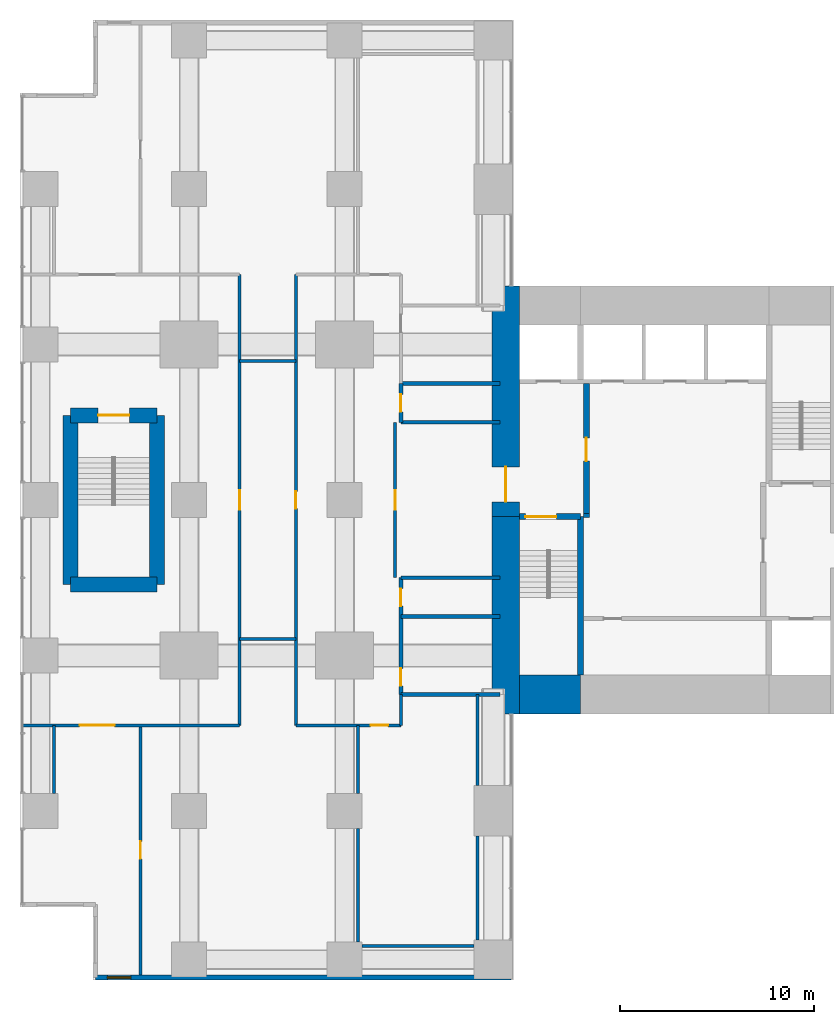
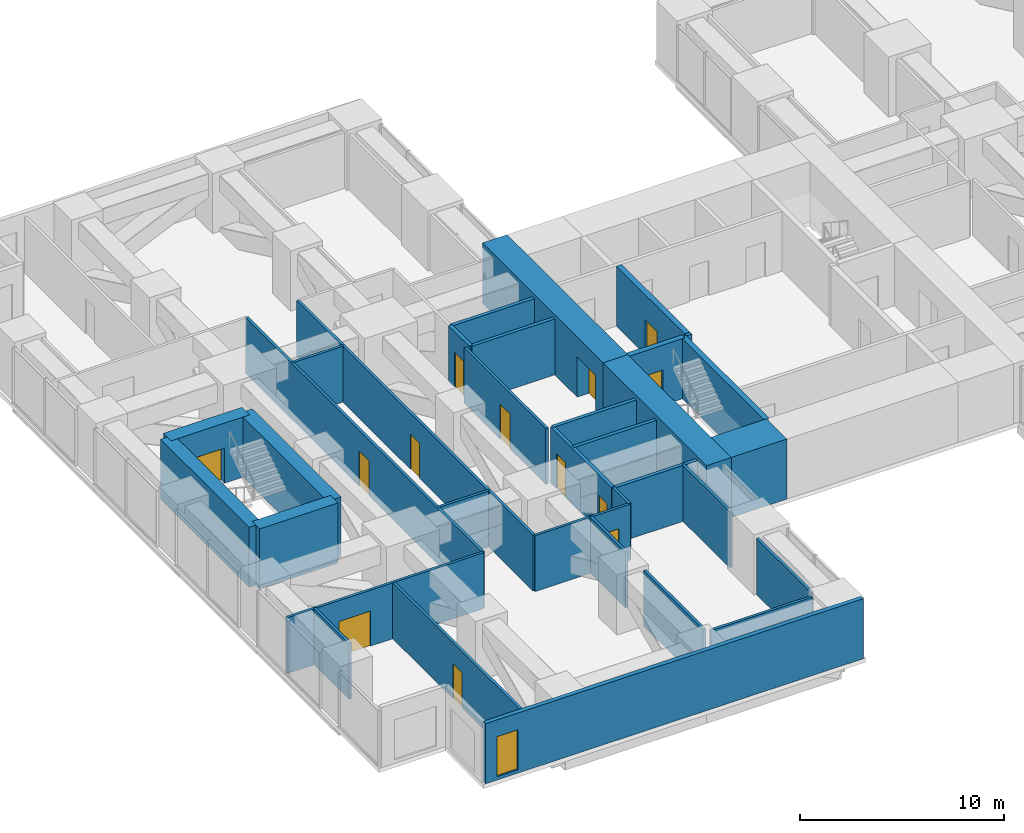
# One storey, part 10 of 14: 34 walls, 13 doors, 1 window, 14 openings.
"""IFC4 building model written with IfcOpenShell, lengths in metres."""

from ifc_helpers import new_model, si_unit, direction, frame, frame_2d, origin, place, context, subcontext, project, spatial, rectangle, extrude, material, layer, layer_set, type_object, element, fill, save


model = new_model("IFC4")

# Units and contexts
model_context = context("Model", 3, precision=1e-05, world=origin(), true_north=direction((0.0, 1.0)))
body_context = subcontext(model_context, "Body", "Model", "MODEL_VIEW")
ifc_project = project(units=[si_unit("LENGTHUNIT", "METRE"), si_unit("AREAUNIT", "SQUARE_METRE"), si_unit("VOLUMEUNIT", "CUBIC_METRE"), si_unit("PLANEANGLEUNIT", "RADIAN"), si_unit("MASSUNIT", "GRAM", prefix="KILO")], contexts=[model_context])

# Site, building, storey
site_placement = place(None, origin())
site = spatial("IfcSite", under=ifc_project, at=site_placement, CompositionType="ELEMENT")
building_placement = place(site_placement, origin())
building = spatial("IfcBuilding", under=site, at=building_placement, Name="Cleftline Residences", CompositionType="ELEMENT")
storey_placement = place(building_placement, frame((0.0, 0.0, 200.199951171875)))
storey = spatial("IfcBuildingStorey", under=building, at=storey_placement, Name="L52", CompositionType="ELEMENT", Elevation=200.199951171875)

# Wall
ifc_material_1 = material(Name="Concrete B70", Category="concrete")
ifc_layer_1 = layer(ifc_material_1, 1.39990234375)
ifc_layer_set_1 = layer_set([ifc_layer_1], Name="CORE WALL 1400")
wall_type_1 = type_object("IfcWallType", Name="CORE WALL 1400", PredefinedType="SHEAR", material=ifc_layer_set_1)
wall_1_placement = place(storey_placement, frame((24.300048828125, 13.0, 0.0), z_axis=(0.0, 0.0, 1.0), x_axis=(0.0, 1.0, 0.0)))
element("IfcWall", 1, at=wall_1_placement, inside=storey, type_object=wall_type_1, Name="Core wall W0", PredefinedType="SHEAR", context=body_context, shape_type="SweptSolid", body=[
    extrude(rectangle(XDim=10.14990234375, YDim=1.39990234375, at=frame_2d((5.074951171875, 0.0))), origin(), (0.0, 0.0, 1.0), 3.60009765625),
])

# Wall, opening, door
wall_2_placement = place(storey_placement, frame((24.300048828125, 23.14990234375, 0.0), z_axis=(0.0, 0.0, 1.0), x_axis=(0.0, 1.0, 0.0)))
wall_2 = element("IfcWall", 2, at=wall_2_placement, inside=storey, type_object=wall_type_1, Name="Core wall W", PredefinedType="SHEAR", context=body_context, shape_type="SweptSolid", body=[
    extrude(rectangle(XDim=11.85009765625, YDim=1.39990234375, at=frame_2d((5.925048828125, 0.0))), origin(), (0.0, 0.0, 1.0), 3.60009765625),
])
opening_1_placement = place(wall_2_placement, frame((0.75, 0.0, 0.0)))
opening_1 = element("IfcOpeningElement", 3, at=opening_1_placement, cuts=wall_2, Name="Opening D7", PredefinedType="OPENING", context=body_context, shape_type="SweptSolid", body=[
    extrude(rectangle(XDim=1.800048828125, YDim=2.39990234375, at=frame_2d((0.89990234375, 1.199951171875))), frame((0.0, 0.7099609375, 0.0), z_axis=(0.0, -1.0, 0.0), x_axis=(1.0, 0.0, 0.0)), (0.0, 0.0, 1.0), 1.419921875),
])
ifc_material_2 = material(Name="Steel", Category="steel")
door_type_1 = type_object("IfcDoorType", Name="WING DOOR 1800X2400", OperationType="DOUBLE_DOOR_DOUBLE_SWING", PredefinedType="DOOR", material=ifc_material_2)
door_1_placement = place(opening_1_placement, origin())
door_1 = element("IfcDoor", 4, at=door_1_placement, inside=storey, type_object=door_type_1, Name="West wing door", OperationType="DOUBLE_DOOR_DOUBLE_SWING", OverallHeight=2.39990234375, OverallWidth=1.800048828125, PredefinedType="DOOR", context=body_context, shape_type="SweptSolid", body=[
    extrude(rectangle(XDim=1.800048828125, YDim=2.39990234375, at=frame_2d((0.89990234375, 1.199951171875))), frame((0.0, 0.02490234375, 0.0), z_axis=(0.0, -1.0, 0.0), x_axis=(1.0, 0.0, 0.0)), (0.0, 0.0, 1.0), 0.050048828125),
])
fill(opening_1, door_1)

# Walls
ifc_material_3 = material(Name="Concrete B70", Category="concrete")
ifc_layer_2 = layer(ifc_material_3, 2.0)
ifc_layer_set_2 = layer_set([ifc_layer_2], Name="CORE WALL 2000")
wall_type_2 = type_object("IfcWallType", Name="CORE WALL 2000", PredefinedType="SHEAR", material=ifc_layer_set_2)
wall_3_placement = place(storey_placement, frame((25.0, 14.0, 0.0), z_axis=(0.0, 0.0, 1.0), x_axis=(1.0, 0.0, 0.0)))
element("IfcWall", 5, at=wall_3_placement, inside=storey, type_object=wall_type_2, Name="Core wall S1", PredefinedType="SHEAR", context=body_context, shape_type="SweptSolid", body=[
    extrude(rectangle(XDim=3.14990234375, YDim=2.0, at=frame_2d((1.574951171875, 0.0))), origin(), (0.0, 0.0, 1.0), 3.60009765625),
])
ifc_material_4 = material(Name="Concrete B70", Category="concrete")
ifc_layer_3 = layer(ifc_material_4, 0.300048828125)
ifc_layer_set_3 = layer_set([ifc_layer_3], Name="CORE WALL 300")
wall_type_3 = type_object("IfcWallType", Name="CORE WALL 300", PredefinedType="SHEAR", material=ifc_layer_set_3)
wall_4_placement = place(storey_placement, frame((28.14990234375, 15.0, 0.0), z_axis=(0.0, 0.0, 1.0), x_axis=(0.0, 1.0, 0.0)))
element("IfcWall", 6, at=wall_4_placement, inside=storey, type_object=wall_type_3, Name="Core wall SA-E", PredefinedType="SHEAR", context=body_context, shape_type="SweptSolid", body=[
    extrude(rectangle(XDim=8.14990234375, YDim=0.300048828125, at=frame_2d((4.074951171875, 0.0))), origin(), (0.0, 0.0, 1.0), 3.60009765625),
])

# Wall, opening, door
wall_5_placement = place(storey_placement, frame((25.0, 23.14990234375, 0.0), z_axis=(0.0, 0.0, 1.0), x_axis=(1.0, 0.0, 0.0)))
wall_5 = element("IfcWall", 7, at=wall_5_placement, inside=storey, type_object=wall_type_3, Name="Core wall SA-N", PredefinedType="SHEAR", context=body_context, shape_type="SweptSolid", body=[
    extrude(rectangle(XDim=3.14990234375, YDim=0.300048828125, at=frame_2d((1.574951171875, 0.0))), origin(), (0.0, 0.0, 1.0), 3.60009765625),
])
opening_2_placement = place(wall_5_placement, frame((0.300048828125, 0.0, 0.0)))
opening_2 = element("IfcOpeningElement", 8, at=opening_2_placement, cuts=wall_5, Name="Opening D9", PredefinedType="OPENING", context=body_context, shape_type="SweptSolid", body=[
    extrude(rectangle(XDim=1.60009765625, YDim=2.10009765625, at=frame_2d((0.800048828125, 1.050048828125))), frame((0.0, 0.159912109375, 0.0), z_axis=(0.0, -1.0, 0.0), x_axis=(1.0, 0.0, 0.0)), (0.0, 0.0, 1.0), 0.320068359375),
])
ifc_material_5 = material(Name="Steel", Category="steel")
door_type_2 = type_object("IfcDoorType", Name="STAIR DOOR 1600X2100", OperationType="DOUBLE_DOOR_SINGLE_SWING", PredefinedType="DOOR", material=ifc_material_5)
door_2_placement = place(opening_2_placement, origin())
door_2 = element("IfcDoor", 9, at=door_2_placement, inside=storey, type_object=door_type_2, Name="Stair A door", OperationType="DOUBLE_DOOR_SINGLE_SWING", OverallHeight=2.10009765625, OverallWidth=1.60009765625, PredefinedType="DOOR", context=body_context, shape_type="SweptSolid", body=[
    extrude(rectangle(XDim=1.60009765625, YDim=2.10009765625, at=frame_2d((0.800048828125, 1.050048828125))), frame((0.0, 0.02490234375, 0.0), z_axis=(0.0, -1.0, 0.0), x_axis=(1.0, 0.0, 0.0)), (0.0, 0.0, 1.0), 0.050048828125),
])
fill(opening_2, door_2)

# Wall, opening, window
ifc_material_6 = material(Name="Rendered reinforced concrete blockwork", Category="masonry")
ifc_layer_4 = layer(ifc_material_6, 0.25)
ifc_layer_set_4 = layer_set([ifc_layer_4], Name="EXTERNAL WALL 250")
wall_type_4 = type_object("IfcWallType", Name="EXTERNAL WALL 250", PredefinedType="SOLIDWALL", material=ifc_layer_set_4)
wall_6_placement = place(storey_placement, frame((3.175048828125, -0.574951171875, 0.0), z_axis=(0.0, 0.0, 1.0), x_axis=(1.0, 0.0, 0.0)))
wall_6 = element("IfcWall", 10, at=wall_6_placement, inside=storey, type_object=wall_type_4, Name="External wall", PredefinedType="SOLIDWALL", context=body_context, shape_type="SweptSolid", body=[
    extrude(rectangle(XDim=21.39990234375, YDim=0.25, at=frame_2d((10.699951171875, 0.0))), origin(), (0.0, 0.0, 1.0), 3.60009765625),
])
opening_3_placement = place(wall_6_placement, frame((0.625, 0.0, 0.199951171875)))
opening_3 = element("IfcOpeningElement", 11, at=opening_3_placement, cuts=wall_6, Name="Opening W13", PredefinedType="OPENING", context=body_context, shape_type="SweptSolid", body=[
    extrude(rectangle(XDim=1.199951171875, YDim=2.39990234375, at=frame_2d((0.60009765625, 1.199951171875))), frame((0.0, 0.135009765625, 0.0), z_axis=(0.0, -1.0, 0.0), x_axis=(1.0, 0.0, 0.0)), (0.0, 0.0, 1.0), 0.27001953125),
])
ifc_material_7 = material(Name="Aluminium frame, clear double glazing", Category="aluminium")
window_type = type_object("IfcWindowType", Name="WINDOW 1200X2400", PartitioningType="DOUBLE_PANEL_VERTICAL", PredefinedType="WINDOW", material=ifc_material_7)
window_placement = place(opening_3_placement, origin())
window = element("IfcWindow", 12, at=window_placement, inside=storey, type_object=window_type, Name="Window", OverallHeight=2.39990234375, OverallWidth=1.199951171875, PartitioningType="SINGLE_PANEL", PredefinedType="WINDOW", context=body_context, shape_type="SweptSolid", body=[
    extrude(rectangle(XDim=1.199951171875, YDim=2.39990234375, at=frame_2d((0.60009765625, 1.199951171875))), frame((0.0, 0.030029296875, 0.0), z_axis=(0.0, -1.0, 0.0), x_axis=(1.0, 0.0, 0.0)), (0.0, 0.0, 1.0), 0.06005859375),
])
fill(opening_3, window)

# Walls
ifc_material_8 = material(Name="Concrete blockwork, fire rated", Category="masonry")
ifc_layer_5 = layer(ifc_material_8, 0.199951171875)
ifc_layer_set_5 = layer_set([ifc_layer_5], Name="FIRE WALL 200")
wall_type_5 = type_object("IfcWallType", Name="FIRE WALL 200", PredefinedType="PARTITIONING", material=ifc_layer_set_5)
for number, where, z_axis, x_axis, name in (
    (13, (18.89990234375, 14.0, 0.0), (0.0, 0.0, 1.0), (1.0, 0.0, 0.0), "Fire separating wall"),
    (14, (18.89990234375, 18.0, 0.0), (0.0, 0.0, 1.0), (1.0, 0.0, 0.0), "Fire separating wall"),
    (15, (18.89990234375, 20.0, 0.0), (0.0, 0.0, 1.0), (1.0, 0.0, 0.0), "Fire separating wall"),
    (16, (18.89990234375, 28.0, 0.0), (0.0, 0.0, 1.0), (1.0, 0.0, 0.0), "Fire separating wall"),
    (17, (18.89990234375, 30.0, 0.0), (0.0, 0.0, 1.0), (1.0, 0.0, 0.0), "Fire separating wall"),
):
    element("IfcWall", number, at=place(storey_placement, frame(where, z_axis=z_axis, x_axis=x_axis)), inside=storey, type_object=wall_type_5, Name=name, PredefinedType="PARTITIONING", context=body_context, shape_type="SweptSolid", body=[
        extrude(rectangle(XDim=5.10009765625, YDim=0.199951171875, at=frame_2d((2.550048828125, 0.0))), origin(), (0.0, 0.0, 1.0), 3.35009765625),
    ])

# Wall, openings, doors
wall_7_placement = place(storey_placement, frame((18.89990234375, 14.0, 0.0), z_axis=(0.0, 0.0, 1.0), x_axis=(0.0, 1.0, 0.0)))
wall_7 = element("IfcWall", 18, at=wall_7_placement, inside=storey, type_object=wall_type_5, Name="Fire separating wall", PredefinedType="PARTITIONING", context=body_context, shape_type="SweptSolid", body=[
    extrude(rectangle(XDim=6.0, YDim=0.199951171875, at=frame_2d((3.0, 0.0))), origin(), (0.0, 0.0, 1.0), 3.35009765625),
])
opening_4_placement = place(wall_7_placement, frame((0.43994140625, 0.0, 0.0)))
opening_4 = element("IfcOpeningElement", 19, at=opening_4_placement, cuts=wall_7, Name="Opening D1F30", PredefinedType="OPENING", context=body_context, shape_type="SweptSolid", body=[
    extrude(rectangle(XDim=0.89990234375, YDim=2.10009765625, at=frame_2d((0.449951171875, 1.050048828125))), frame((0.0, 0.10986328125, 0.0), z_axis=(0.0, -1.0, 0.0), x_axis=(1.0, 0.0, 0.0)), (0.0, 0.0, 1.0), 0.219970703125),
])
opening_5_placement = place(wall_7_placement, frame((4.5400390625, 0.0, 0.0)))
opening_5 = element("IfcOpeningElement", 20, at=opening_5_placement, cuts=wall_7, Name="Opening D1F30", PredefinedType="OPENING", context=body_context, shape_type="SweptSolid", body=[
    extrude(rectangle(XDim=0.89990234375, YDim=2.10009765625, at=frame_2d((0.449951171875, 1.050048828125))), frame((0.0, 0.10986328125, 0.0), z_axis=(0.0, -1.0, 0.0), x_axis=(1.0, 0.0, 0.0)), (0.0, 0.0, 1.0), 0.219970703125),
])
ifc_material_9 = material(Name="Timber veneer on solid core", Category="wood")
door_type_3 = type_object("IfcDoorType", Name="DOOR 900X2100 EI 30", OperationType="SINGLE_SWING_LEFT", PredefinedType="DOOR", material=ifc_material_9)
door_3_placement = place(opening_4_placement, origin())
door_3 = element("IfcDoor", 21, at=door_3_placement, inside=storey, type_object=door_type_3, Name="Door to male wc", OperationType="SINGLE_SWING_RIGHT", OverallHeight=2.10009765625, OverallWidth=0.89990234375, PredefinedType="DOOR", context=body_context, shape_type="SweptSolid", body=[
    extrude(rectangle(XDim=0.89990234375, YDim=2.10009765625, at=frame_2d((0.449951171875, 1.050048828125))), frame((0.0, 0.02490234375, 0.0), z_axis=(0.0, -1.0, 0.0), x_axis=(1.0, 0.0, 0.0)), (0.0, 0.0, 1.0), 0.050048828125),
])
fill(opening_4, door_3)
door_4_placement = place(opening_5_placement, origin())
door_4 = element("IfcDoor", 22, at=door_4_placement, inside=storey, type_object=door_type_3, Name="Door to female wc", OperationType="SINGLE_SWING_LEFT", OverallHeight=2.10009765625, OverallWidth=0.89990234375, PredefinedType="DOOR", context=body_context, shape_type="SweptSolid", body=[
    extrude(rectangle(XDim=0.89990234375, YDim=2.10009765625, at=frame_2d((0.449951171875, 1.050048828125))), frame((0.0, 0.02490234375, 0.0), z_axis=(0.0, -1.0, 0.0), x_axis=(1.0, 0.0, 0.0)), (0.0, 0.0, 1.0), 0.050048828125),
])
fill(opening_5, door_4)

# Wall, opening, door
wall_8_placement = place(storey_placement, frame((18.89990234375, 28.0, 0.0), z_axis=(0.0, 0.0, 1.0), x_axis=(0.0, 1.0, 0.0)))
wall_8 = element("IfcWall", 23, at=wall_8_placement, inside=storey, type_object=wall_type_5, Name="Fire separating wall", PredefinedType="PARTITIONING", context=body_context, shape_type="SweptSolid", body=[
    extrude(rectangle(XDim=2.0, YDim=0.199951171875, at=frame_2d((1.0, 0.0))), origin(), (0.0, 0.0, 1.0), 3.35009765625),
])
opening_6_placement = place(wall_8_placement, frame((0.5400390625, 0.0, 0.0)))
opening_6 = element("IfcOpeningElement", 24, at=opening_6_placement, cuts=wall_8, Name="Opening D1F30", PredefinedType="OPENING", context=body_context, shape_type="SweptSolid", body=[
    extrude(rectangle(XDim=0.89990234375, YDim=2.10009765625, at=frame_2d((0.449951171875, 1.050048828125))), frame((0.0, 0.10986328125, 0.0), z_axis=(0.0, -1.0, 0.0), x_axis=(1.0, 0.0, 0.0)), (0.0, 0.0, 1.0), 0.219970703125),
])
door_5_placement = place(opening_6_placement, origin())
door_5 = element("IfcDoor", 25, at=door_5_placement, inside=storey, type_object=door_type_3, Name="Door to accessible wc", OperationType="SINGLE_SWING_RIGHT", OverallHeight=2.10009765625, OverallWidth=0.89990234375, PredefinedType="DOOR", context=body_context, shape_type="SweptSolid", body=[
    extrude(rectangle(XDim=0.89990234375, YDim=2.10009765625, at=frame_2d((0.449951171875, 1.050048828125))), frame((0.0, 0.02490234375, 0.0), z_axis=(0.0, -1.0, 0.0), x_axis=(1.0, 0.0, 0.0)), (0.0, 0.0, 1.0), 0.050048828125),
])
fill(opening_6, door_5)

# Walls
wall_9_placement = place(storey_placement, frame((28.300048828125, 23.199951171875, 0.0), z_axis=(0.0, 0.0, 1.0), x_axis=(1.0, 0.0, 0.0)))
element("IfcWall", 26, at=wall_9_placement, inside=storey, type_object=wall_type_5, Name="Fire separating wall", PredefinedType="PARTITIONING", context=body_context, shape_type="SweptSolid", body=[
    extrude(rectangle(XDim=0.300048828125, YDim=0.199951171875, at=frame_2d((0.14990234375, 0.0))), origin(), (0.0, 0.0, 1.0), 3.60009765625),
])
ifc_material_10 = material(Name="Gypsum board on steel studs", Category="steel")
ifc_layer_6 = layer(ifc_material_10, 0.14990234375)
ifc_layer_set_6 = layer_set([ifc_layer_6], Name="PARTITION 150")
wall_type_6 = type_object("IfcWallType", Name="PARTITION 150", PredefinedType="PARTITIONING", material=ifc_layer_set_6)
wall_10_placement = place(storey_placement, frame((16.89990234375, 1.050048828125, 0.0), z_axis=(0.0, 0.0, 1.0), x_axis=(1.0, 0.0, 0.0)))
element("IfcWall", 27, at=wall_10_placement, inside=storey, type_object=wall_type_6, Name="Partition", PredefinedType="PARTITIONING", context=body_context, shape_type="SweptSolid", body=[
    extrude(rectangle(XDim=5.75, YDim=0.14990234375, at=frame_2d((2.875, 0.0))), origin(), (0.0, 0.0, 1.0), 3.35009765625),
])

# Wall, opening, door
wall_11_placement = place(storey_placement, frame((-0.56103515625, 12.39990234375, 0.0), z_axis=(0.0, 0.0, 1.0), x_axis=(1.0, 0.0, 0.0)))
wall_11 = element("IfcWall", 28, at=wall_11_placement, inside=storey, type_object=wall_type_6, Name="Partition", PredefinedType="PARTITIONING", context=body_context, shape_type="SweptSolid", body=[
    extrude(rectangle(XDim=11.1611328125, YDim=0.14990234375, at=frame_2d((5.58056640625, 0.0))), origin(), (0.0, 0.0, 1.0), 3.35009765625),
])
opening_7_placement = place(wall_11_placement, frame((2.930908203125, 0.0, 0.0)))
opening_7 = element("IfcOpeningElement", 29, at=opening_7_placement, cuts=wall_11, Name="Opening D3", PredefinedType="OPENING", context=body_context, shape_type="SweptSolid", body=[
    extrude(rectangle(XDim=1.800048828125, YDim=2.10009765625, at=frame_2d((0.89990234375, 1.050048828125))), frame((0.0, 0.0849609375, 0.0), z_axis=(0.0, -1.0, 0.0), x_axis=(1.0, 0.0, 0.0)), (0.0, 0.0, 1.0), 0.169921875),
])
ifc_material_11 = material(Name="Timber veneer on solid core", Category="wood")
door_type_4 = type_object("IfcDoorType", Name="DOUBLE DOOR 1800X2100", OperationType="DOUBLE_DOOR_DOUBLE_SWING", PredefinedType="DOOR", material=ifc_material_11)
door_6_placement = place(opening_7_placement, origin())
door_6 = element("IfcDoor", 30, at=door_6_placement, inside=storey, type_object=door_type_4, Name="Door to yoga studio", OperationType="DOUBLE_DOOR_DOUBLE_SWING", OverallHeight=2.10009765625, OverallWidth=1.800048828125, PredefinedType="DOOR", context=body_context, shape_type="SweptSolid", body=[
    extrude(rectangle(XDim=1.800048828125, YDim=2.10009765625, at=frame_2d((0.89990234375, 1.050048828125))), frame((0.0, 0.02490234375, 0.0), z_axis=(0.0, -1.0, 0.0), x_axis=(1.0, 0.0, 0.0)), (0.0, 0.0, 1.0), 0.050048828125),
])
fill(opening_7, door_6)

wall_12_placement = place(storey_placement, frame((13.5, 12.39990234375, 0.0), z_axis=(0.0, 0.0, 1.0), x_axis=(1.0, 0.0, 0.0)))
wall_12 = element("IfcWall", 31, at=wall_12_placement, inside=storey, type_object=wall_type_6, Name="Partition", PredefinedType="PARTITIONING", context=body_context, shape_type="SweptSolid", body=[
    extrude(rectangle(XDim=5.39990234375, YDim=0.14990234375, at=frame_2d((2.699951171875, 0.0))), origin(), (0.0, 0.0, 1.0), 3.35009765625),
])
opening_8_placement = place(wall_12_placement, frame((3.840087890625, 0.0, 0.0)))
opening_8 = element("IfcOpeningElement", 32, at=opening_8_placement, cuts=wall_12, Name="Opening D1", PredefinedType="OPENING", context=body_context, shape_type="SweptSolid", body=[
    extrude(rectangle(XDim=0.89990234375, YDim=2.10009765625, at=frame_2d((0.449951171875, 1.050048828125))), frame((0.0, 0.0849609375, 0.0), z_axis=(0.0, -1.0, 0.0), x_axis=(1.0, 0.0, 0.0)), (0.0, 0.0, 1.0), 0.169921875),
])
ifc_material_12 = material(Name="Timber veneer on solid core", Category="wood")
door_type_5 = type_object("IfcDoorType", Name="DOOR 900X2100", OperationType="SINGLE_SWING_LEFT", PredefinedType="DOOR", material=ifc_material_12)
door_7_placement = place(opening_8_placement, origin())
door_7 = element("IfcDoor", 33, at=door_7_placement, inside=storey, type_object=door_type_5, Name="Door to treatment room", OperationType="SINGLE_SWING_LEFT", OverallHeight=2.10009765625, OverallWidth=0.89990234375, PredefinedType="DOOR", context=body_context, shape_type="SweptSolid", body=[
    extrude(rectangle(XDim=0.89990234375, YDim=2.10009765625, at=frame_2d((0.449951171875, 1.050048828125))), frame((0.0, 0.02490234375, 0.0), z_axis=(0.0, -1.0, 0.0), x_axis=(1.0, 0.0, 0.0)), (0.0, 0.0, 1.0), 0.050048828125),
])
fill(opening_8, door_7)

# Walls
for number, where, z_axis, x_axis, name in (
    (34, (10.60009765625, 16.85009765625, 0.0), (0.0, 0.0, 1.0), (1.0, 0.0, 0.0), "Partition"),
    (35, (10.60009765625, 31.14990234375, 0.0), (0.0, 0.0, 1.0), (1.0, 0.0, 0.0), "Partition"),
):
    element("IfcWall", number, at=place(storey_placement, frame(where, z_axis=z_axis, x_axis=x_axis)), inside=storey, type_object=wall_type_6, Name=name, PredefinedType="PARTITIONING", context=body_context, shape_type="SweptSolid", body=[
        extrude(rectangle(XDim=2.89990234375, YDim=0.14990234375, at=frame_2d((1.449951171875, 0.0))), origin(), (0.0, 0.0, 1.0), 3.35009765625),
    ])
wall_13_placement = place(storey_placement, frame((1.050048828125, 8.89990234375, 0.0), z_axis=(0.0, 0.0, 1.0), x_axis=(0.0, 1.0, 0.0)))
element("IfcWall", 36, at=wall_13_placement, inside=storey, type_object=wall_type_6, Name="Partition", PredefinedType="PARTITIONING", context=body_context, shape_type="SweptSolid", body=[
    extrude(rectangle(XDim=3.5, YDim=0.14990234375, at=frame_2d((1.75, 0.0))), origin(), (0.0, 0.0, 1.0), 3.35009765625),
])

# Wall, opening, door
wall_14_placement = place(storey_placement, frame((5.5, -0.449951171875, 0.0), z_axis=(0.0, 0.0, 1.0), x_axis=(0.0, 1.0, 0.0)))
wall_14 = element("IfcWall", 37, at=wall_14_placement, inside=storey, type_object=wall_type_6, Name="Partition", PredefinedType="PARTITIONING", context=body_context, shape_type="SweptSolid", body=[
    extrude(rectangle(XDim=12.849853515625, YDim=0.14990234375, at=frame_2d((6.4248046875, 0.0))), origin(), (0.0, 0.0, 1.0), 3.35009765625),
])
opening_9_placement = place(wall_14_placement, frame((5.97998046875, 0.0, 0.0)))
opening_9 = element("IfcOpeningElement", 38, at=opening_9_placement, cuts=wall_14, Name="Opening D1", PredefinedType="OPENING", context=body_context, shape_type="SweptSolid", body=[
    extrude(rectangle(XDim=0.89990234375, YDim=2.10009765625, at=frame_2d((0.449951171875, 1.050048828125))), frame((0.0, 0.0849609375, 0.0), z_axis=(0.0, -1.0, 0.0), x_axis=(1.0, 0.0, 0.0)), (0.0, 0.0, 1.0), 0.169921875),
])
door_8_placement = place(opening_9_placement, origin())
door_8 = element("IfcDoor", 39, at=door_8_placement, inside=storey, type_object=door_type_5, Name="Door to fitness locker room", OperationType="SINGLE_SWING_LEFT", OverallHeight=2.10009765625, OverallWidth=0.89990234375, PredefinedType="DOOR", context=body_context, shape_type="SweptSolid", body=[
    extrude(rectangle(XDim=0.89990234375, YDim=2.10009765625, at=frame_2d((0.449951171875, 1.050048828125))), frame((0.0, 0.02490234375, 0.0), z_axis=(0.0, -1.0, 0.0), x_axis=(1.0, 0.0, 0.0)), (0.0, 0.0, 1.0), 0.050048828125),
])
fill(opening_9, door_8)

wall_15_placement = place(storey_placement, frame((10.60009765625, 12.39990234375, 0.0), z_axis=(0.0, 0.0, 1.0), x_axis=(0.0, 1.0, 0.0)))
wall_15 = element("IfcWall", 40, at=wall_15_placement, inside=storey, type_object=wall_type_6, Name="Partition", PredefinedType="PARTITIONING", context=body_context, shape_type="SweptSolid", body=[
    extrude(rectangle(XDim=23.2001953125, YDim=0.14990234375, at=frame_2d((11.60009765625, 0.0))), origin(), (0.0, 0.0, 1.0), 3.35009765625),
])
opening_10_placement = place(wall_15_placement, frame((11.090087890625, 0.0, 0.0)))
opening_10 = element("IfcOpeningElement", 41, at=opening_10_placement, cuts=wall_15, Name="Opening D2F30", PredefinedType="OPENING", context=body_context, shape_type="SweptSolid", body=[
    extrude(rectangle(XDim=1.0, YDim=2.10009765625, at=frame_2d((0.5, 1.050048828125))), frame((0.0, 0.0849609375, 0.0), z_axis=(0.0, -1.0, 0.0), x_axis=(1.0, 0.0, 0.0)), (0.0, 0.0, 1.0), 0.169921875),
])
ifc_material_13 = material(Name="Timber veneer on solid core", Category="wood")
door_type_6 = type_object("IfcDoorType", Name="DOOR 1000X2100 EI 30", OperationType="SINGLE_SWING_LEFT", PredefinedType="DOOR", material=ifc_material_13)
door_9_placement = place(opening_10_placement, origin())
door_9 = element("IfcDoor", 42, at=door_9_placement, inside=storey, type_object=door_type_6, Name="Door to stair w lobby", OperationType="SINGLE_SWING_RIGHT", OverallHeight=2.10009765625, OverallWidth=1.0, PredefinedType="DOOR", context=body_context, shape_type="SweptSolid", body=[
    extrude(rectangle(XDim=1.0, YDim=2.10009765625, at=frame_2d((0.5, 1.050048828125))), frame((0.0, 0.02490234375, 0.0), z_axis=(0.0, -1.0, 0.0), x_axis=(1.0, 0.0, 0.0)), (0.0, 0.0, 1.0), 0.050048828125),
])
fill(opening_10, door_9)

wall_16_placement = place(storey_placement, frame((13.5, 12.39990234375, 0.0), z_axis=(0.0, 0.0, 1.0), x_axis=(0.0, 1.0, 0.0)))
wall_16 = element("IfcWall", 43, at=wall_16_placement, inside=storey, type_object=wall_type_6, Name="Partition", PredefinedType="PARTITIONING", context=body_context, shape_type="SweptSolid", body=[
    extrude(rectangle(XDim=23.2001953125, YDim=0.14990234375, at=frame_2d((11.60009765625, 0.0))), origin(), (0.0, 0.0, 1.0), 3.35009765625),
])
opening_11_placement = place(wall_16_placement, frame((11.14990234375, 0.0, 0.0)))
opening_11 = element("IfcOpeningElement", 44, at=opening_11_placement, cuts=wall_16, Name="Opening D1", PredefinedType="OPENING", context=body_context, shape_type="SweptSolid", body=[
    extrude(rectangle(XDim=0.89990234375, YDim=2.10009765625, at=frame_2d((0.449951171875, 1.050048828125))), frame((0.0, 0.0849609375, 0.0), z_axis=(0.0, -1.0, 0.0), x_axis=(1.0, 0.0, 0.0)), (0.0, 0.0, 1.0), 0.169921875),
])
door_10_placement = place(opening_11_placement, origin())
door_10 = element("IfcDoor", 45, at=door_10_placement, inside=storey, type_object=door_type_5, Name="Door to pilates studio", OperationType="SINGLE_SWING_LEFT", OverallHeight=2.10009765625, OverallWidth=0.89990234375, PredefinedType="DOOR", context=body_context, shape_type="SweptSolid", body=[
    extrude(rectangle(XDim=0.89990234375, YDim=2.10009765625, at=frame_2d((0.449951171875, 1.050048828125))), frame((0.0, 0.02490234375, 0.0), z_axis=(0.0, -1.0, 0.0), x_axis=(1.0, 0.0, 0.0)), (0.0, 0.0, 1.0), 0.050048828125),
])
fill(opening_11, door_10)

# Walls
wall_17_placement = place(storey_placement, frame((16.699951171875, 1.25, 0.0), z_axis=(0.0, 0.0, 1.0), x_axis=(0.0, 1.0, 0.0)))
element("IfcWall", 46, at=wall_17_placement, inside=storey, type_object=wall_type_6, Name="Partition", PredefinedType="PARTITIONING", context=body_context, shape_type="SweptSolid", body=[
    extrude(rectangle(XDim=5.85009765625, YDim=0.14990234375, at=frame_2d((2.925048828125, 0.0))), origin(), (0.0, 0.0, 1.0), 3.35009765625),
])
wall_18_placement = place(storey_placement, frame((16.699951171875, 8.89990234375, 0.0), z_axis=(0.0, 0.0, 1.0), x_axis=(0.0, 1.0, 0.0)))
element("IfcWall", 47, at=wall_18_placement, inside=storey, type_object=wall_type_6, Name="Partition", PredefinedType="PARTITIONING", context=body_context, shape_type="SweptSolid", body=[
    extrude(rectangle(XDim=3.5, YDim=0.14990234375, at=frame_2d((1.75, 0.0))), origin(), (0.0, 0.0, 1.0), 3.35009765625),
])

# Wall, opening, door
wall_19_placement = place(storey_placement, frame((18.60009765625, 20.0, 0.0), z_axis=(0.0, 0.0, 1.0), x_axis=(0.0, 1.0, 0.0)))
wall_19 = element("IfcWall", 48, at=wall_19_placement, inside=storey, type_object=wall_type_6, Name="Partition", PredefinedType="PARTITIONING", context=body_context, shape_type="SweptSolid", body=[
    extrude(rectangle(XDim=8.0, YDim=0.14990234375, at=frame_2d((4.0, 0.0))), origin(), (0.0, 0.0, 1.0), 3.35009765625),
])
opening_12_placement = place(wall_19_placement, frame((3.5, 0.0, 0.0)))
opening_12 = element("IfcOpeningElement", 49, at=opening_12_placement, cuts=wall_19, Name="Opening D2F30", PredefinedType="OPENING", context=body_context, shape_type="SweptSolid", body=[
    extrude(rectangle(XDim=1.0, YDim=2.10009765625, at=frame_2d((0.5, 1.050048828125))), frame((0.0, 0.0849609375, 0.0), z_axis=(0.0, -1.0, 0.0), x_axis=(1.0, 0.0, 0.0)), (0.0, 0.0, 1.0), 0.169921875),
])
door_11_placement = place(opening_12_placement, origin())
door_11 = element("IfcDoor", 50, at=door_11_placement, inside=storey, type_object=door_type_6, Name="Door to corridor", OperationType="SINGLE_SWING_LEFT", OverallHeight=2.10009765625, OverallWidth=1.0, PredefinedType="DOOR", context=body_context, shape_type="SweptSolid", body=[
    extrude(rectangle(XDim=1.0, YDim=2.10009765625, at=frame_2d((0.5, 1.050048828125))), frame((0.0, 0.02490234375, 0.0), z_axis=(0.0, -1.0, 0.0), x_axis=(1.0, 0.0, 0.0)), (0.0, 0.0, 1.0), 0.050048828125),
])
fill(opening_12, door_11)

# Walls
wall_20_placement = place(storey_placement, frame((18.89990234375, 12.39990234375, 0.0), z_axis=(0.0, 0.0, 1.0), x_axis=(0.0, 1.0, 0.0)))
element("IfcWall", 51, at=wall_20_placement, inside=storey, type_object=wall_type_6, Name="Partition", PredefinedType="PARTITIONING", context=body_context, shape_type="SweptSolid", body=[
    extrude(rectangle(XDim=1.60009765625, YDim=0.14990234375, at=frame_2d((0.800048828125, 0.0))), origin(), (0.0, 0.0, 1.0), 3.35009765625),
])
wall_21_placement = place(storey_placement, frame((22.85009765625, 1.35009765625, 0.0), z_axis=(0.0, 0.0, 1.0), x_axis=(0.0, 1.0, 0.0)))
element("IfcWall", 52, at=wall_21_placement, inside=storey, type_object=wall_type_6, Name="Partition", PredefinedType="PARTITIONING", context=body_context, shape_type="SweptSolid", body=[
    extrude(rectangle(XDim=5.349853515625, YDim=0.14990234375, at=frame_2d((2.6748046875, 0.0))), origin(), (0.0, 0.0, 1.0), 3.35009765625),
])
wall_22_placement = place(storey_placement, frame((22.85009765625, 9.300048828125, 0.0), z_axis=(0.0, 0.0, 1.0), x_axis=(0.0, 1.0, 0.0)))
element("IfcWall", 53, at=wall_22_placement, inside=storey, type_object=wall_type_6, Name="Partition", PredefinedType="PARTITIONING", context=body_context, shape_type="SweptSolid", body=[
    extrude(rectangle(XDim=4.699951171875, YDim=0.14990234375, at=frame_2d((2.35009765625, 0.0))), origin(), (0.0, 0.0, 1.0), 3.35009765625),
])
ifc_material_14 = material(Name="Concrete B70", Category="concrete")
ifc_layer_7 = layer(ifc_material_14, 0.75)
ifc_layer_set_7 = layer_set([ifc_layer_7], Name="SHEAR WALL 750")
wall_type_7 = type_object("IfcWallType", Name="SHEAR WALL 750", PredefinedType="SHEAR", material=ifc_layer_set_7)
wall_23_placement = place(storey_placement, frame((1.89990234375, 19.64990234375, 0.0), z_axis=(0.0, 0.0, 1.0), x_axis=(1.0, 0.0, 0.0)))
element("IfcWall", 54, at=wall_23_placement, inside=storey, type_object=wall_type_7, Name="Wing shear wall", PredefinedType="SHEAR", context=body_context, shape_type="SweptSolid", body=[
    extrude(rectangle(XDim=4.4501953125, YDim=0.75, at=frame_2d((2.22509765625, 0.0))), origin(), (0.0, 0.0, 1.0), 3.60009765625),
])
wall_24_placement = place(storey_placement, frame((6.35009765625, 19.64990234375, 0.0), z_axis=(0.0, 0.0, 1.0), x_axis=(0.0, 1.0, 0.0)))
element("IfcWall", 55, at=wall_24_placement, inside=storey, type_object=wall_type_7, Name="Wing shear wall", PredefinedType="SHEAR", context=body_context, shape_type="SweptSolid", body=[
    extrude(rectangle(XDim=8.7001953125, YDim=0.75, at=frame_2d((4.35009765625, 0.0))), origin(), (0.0, 0.0, 1.0), 3.60009765625),
])

# Wall, opening, door
wall_25_placement = place(storey_placement, frame((6.35009765625, 28.35009765625, 0.0), z_axis=(0.0, 0.0, 1.0), x_axis=(-1.0, 0.0, 0.0)))
wall_25 = element("IfcWall", 56, at=wall_25_placement, inside=storey, type_object=wall_type_7, Name="Wing shear wall", PredefinedType="SHEAR", context=body_context, shape_type="SweptSolid", body=[
    extrude(rectangle(XDim=4.4501953125, YDim=0.75, at=frame_2d((2.22509765625, 0.0))), origin(), (0.0, 0.0, 1.0), 3.60009765625),
])
opening_13_placement = place(wall_25_placement, frame((1.425048828125, 0.0, 0.0)))
opening_13 = element("IfcOpeningElement", 57, at=opening_13_placement, cuts=wall_25, Name="Opening D9", PredefinedType="OPENING", context=body_context, shape_type="SweptSolid", body=[
    extrude(rectangle(XDim=1.60009765625, YDim=2.10009765625, at=frame_2d((0.800048828125, 1.050048828125))), frame((0.0, 0.385009765625, 0.0), z_axis=(0.0, -1.0, 0.0), x_axis=(1.0, 0.0, 0.0)), (0.0, 0.0, 1.0), 0.77001953125),
])
door_12_placement = place(opening_13_placement, origin())
door_12 = element("IfcDoor", 58, at=door_12_placement, inside=storey, type_object=door_type_2, Name="Stair W door", OperationType="DOUBLE_DOOR_SINGLE_SWING", OverallHeight=2.10009765625, OverallWidth=1.60009765625, PredefinedType="DOOR", context=body_context, shape_type="SweptSolid", body=[
    extrude(rectangle(XDim=1.60009765625, YDim=2.10009765625, at=frame_2d((0.800048828125, 1.050048828125))), frame((0.0, 0.02490234375, 0.0), z_axis=(0.0, -1.0, 0.0), x_axis=(1.0, 0.0, 0.0)), (0.0, 0.0, 1.0), 0.050048828125),
])
fill(opening_13, door_12)

# Wall
wall_26_placement = place(storey_placement, frame((1.89990234375, 28.35009765625, 0.0), z_axis=(0.0, 0.0, 1.0), x_axis=(0.0, -1.0, 0.0)))
element("IfcWall", 59, at=wall_26_placement, inside=storey, type_object=wall_type_7, Name="Wing shear wall", PredefinedType="SHEAR", context=body_context, shape_type="SweptSolid", body=[
    extrude(rectangle(XDim=8.7001953125, YDim=0.75, at=frame_2d((4.35009765625, 0.0))), origin(), (0.0, 0.0, 1.0), 3.60009765625),
])

# Wall, opening, door
ifc_material_15 = material(Name="Concrete blockwork, fire rated", Category="masonry")
ifc_layer_8 = layer(ifc_material_15, 0.300048828125)
ifc_layer_set_8 = layer_set([ifc_layer_8], Name="STAIR LOBBY WALL 300")
wall_type_8 = type_object("IfcWallType", Name="STAIR LOBBY WALL 300", PredefinedType="PARTITIONING", material=ifc_layer_set_8)
wall_27_placement = place(storey_placement, frame((28.449951171875, 23.300048828125, 0.0), z_axis=(0.0, 0.0, 1.0), x_axis=(0.0, 1.0, 0.0)))
wall_27 = element("IfcWall", 60, at=wall_27_placement, inside=storey, type_object=wall_type_8, Name="Stair and lobby wall FA-E", PredefinedType="PARTITIONING", context=body_context, shape_type="SweptSolid", body=[
    extrude(rectangle(XDim=6.699951171875, YDim=0.300048828125, at=frame_2d((3.35009765625, 0.0))), origin(), (0.0, 0.0, 1.0), 3.60009765625),
])
opening_14_placement = place(wall_27_placement, frame((2.699951171875, 0.0, 0.0)))
opening_14 = element("IfcOpeningElement", 61, at=opening_14_placement, cuts=wall_27, Name="Opening D6", PredefinedType="OPENING", context=body_context, shape_type="SweptSolid", body=[
    extrude(rectangle(XDim=1.199951171875, YDim=2.10009765625, at=frame_2d((0.60009765625, 1.050048828125))), frame((0.0, 0.159912109375, 0.0), z_axis=(0.0, -1.0, 0.0), x_axis=(1.0, 0.0, 0.0)), (0.0, 0.0, 1.0), 0.320068359375),
])
ifc_material_16 = material(Name="Steel", Category="steel")
door_type_7 = type_object("IfcDoorType", Name="LOBBY DOOR 1200X2100", OperationType="SINGLE_SWING_RIGHT", PredefinedType="DOOR", material=ifc_material_16)
door_13_placement = place(opening_14_placement, origin())
door_13 = element("IfcDoor", 62, at=door_13_placement, inside=storey, type_object=door_type_7, Name="Firefighting lobby A door", OperationType="SINGLE_SWING_RIGHT", OverallHeight=2.10009765625, OverallWidth=1.199951171875, PredefinedType="DOOR", context=body_context, shape_type="SweptSolid", body=[
    extrude(rectangle(XDim=1.199951171875, YDim=2.10009765625, at=frame_2d((0.60009765625, 1.050048828125))), frame((0.0, 0.02490234375, 0.0), z_axis=(0.0, -1.0, 0.0), x_axis=(1.0, 0.0, 0.0)), (0.0, 0.0, 1.0), 0.050048828125),
])
fill(opening_14, door_13)

save(model, "model.ifc")
